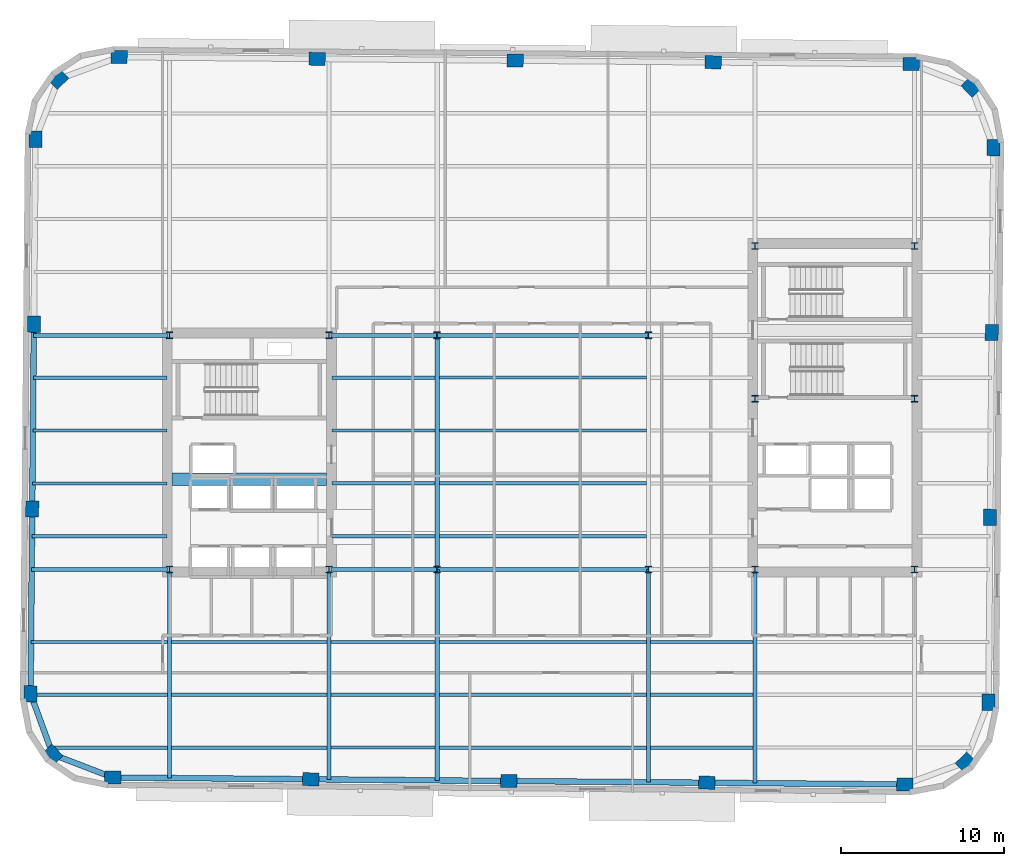
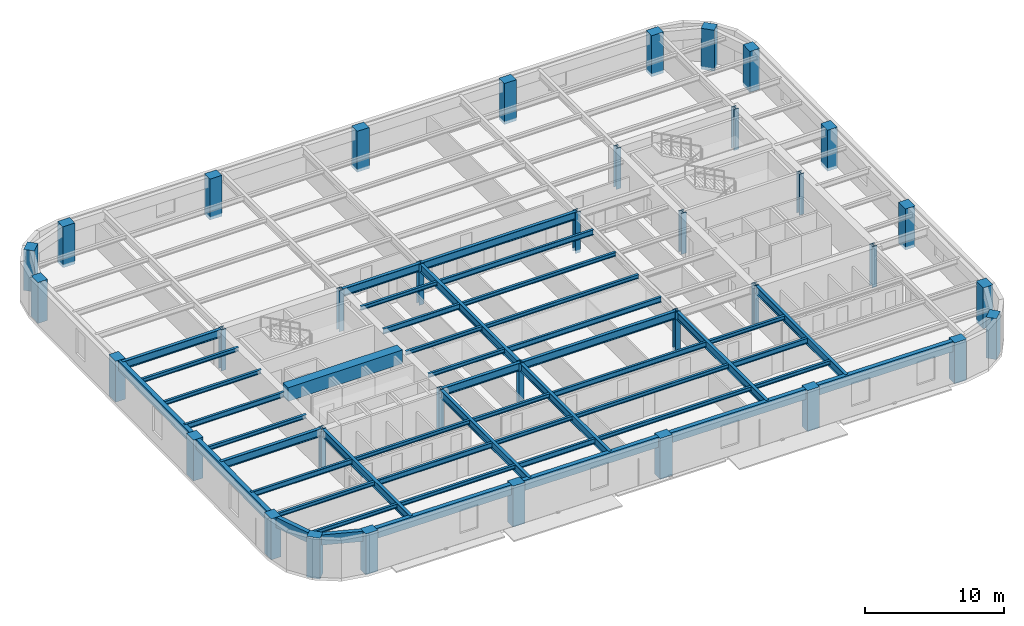
# One storey, part 1 of 11: 48 beams, 36 columns.
"""IFC4 building model written with IfcOpenShell, lengths in metres."""

from ifc_helpers import new_model, si_unit, direction, frame, origin, origin_2d, place, context, subcontext, project, spatial, rectangle, hollow_rectangle, i_section, extrude, material, material_profile, profile_set, type_object, element, save


model = new_model("IFC4")

# Units and contexts
model_context = context("Model", 3, precision=1e-05, world=origin(), true_north=direction((0.0, 1.0)))
body_context = subcontext(model_context, "Body", "Model", "MODEL_VIEW")
ifc_project = project(units=[si_unit("LENGTHUNIT", "METRE"), si_unit("AREAUNIT", "SQUARE_METRE"), si_unit("VOLUMEUNIT", "CUBIC_METRE"), si_unit("PLANEANGLEUNIT", "RADIAN"), si_unit("MASSUNIT", "GRAM", prefix="KILO")], contexts=[model_context])

# Site, building, storey
site_placement = place(None, origin())
site = spatial("IfcSite", under=ifc_project, at=site_placement, CompositionType="ELEMENT")
building_placement = place(site_placement, origin())
building = spatial("IfcBuilding", under=site, at=building_placement, Name="Kolvaren Arena Tower", CompositionType="ELEMENT")
storey_placement = place(building_placement, frame((0.0, 0.0, 207.199951171875)))
storey = spatial("IfcBuildingStorey", under=building, at=storey_placement, Name="L50", CompositionType="ELEMENT", Elevation=207.199951171875)

# Columns
ifc_material_1 = material(Name="Precast concrete C60/75", Category="concrete")
ifc_material_profile_1 = material_profile(ifc_material_1, rectangle(XDim=1.0, YDim=0.800048828125, at=origin_2d()), Name="RC-1000x800")
ifc_profile_set_1 = profile_set([ifc_material_profile_1], Name="Precast concrete C60/75")
column_type_1 = type_object("IfcColumnType", Name="EXCOL-Z3", PredefinedType="COLUMN", material=ifc_profile_set_1)
for number, where, z_axis, x_axis, name in (
    (1, (11.0576171875, 6.663330078125, -0.27001953125), (0.0, 0.0, 1.0), (0.999961923064, -0.008726535498, 0.0), "Exoskeleton Perimeter Column 01 (L50)"),
    (2, (23.232177734375, 6.55712890625, -0.27001953125), (0.0, 0.0, 1.0), (0.999961923064, -0.008726535498, 0.0), "Exoskeleton Perimeter Column 02 (L50)"),
    (3, (35.40673828125, 6.45068359375, -0.27001953125), (0.0, 0.0, 1.0), (0.999961923064, -0.008726535498, 0.0), "Exoskeleton Perimeter Column 03 (L50)"),
    (4, (47.581298828125, 6.344482421875, -0.27001953125), (0.0, 0.0, 1.0), (0.999961923064, -0.008726535498, 0.0), "Exoskeleton Perimeter Column 04 (L50)"),
    (5, (59.755859375, 6.23828125, -0.27001953125), (0.0, 0.0, 1.0), (0.999961923064, -0.008726535498, 0.0), "Exoskeleton Perimeter Column 05 (L50)"),
    (6, (63.4765625, 7.59716796875, -0.27001953125), (0.0, 0.0, 1.0), (0.713250449154, 0.7009092643, 0.0), "Exoskeleton Perimeter Column 06 (L50)"),
    (7, (64.900146484375, 11.293701171875, -0.27001953125), (0.0, 0.0, 1.0), (0.008726535498, 0.999961923064, 0.0), "Exoskeleton Perimeter Column 07 (L50)"),
    (8, (64.999267578125, 22.659912109375, -0.27001953125), (0.0, 0.0, 1.0), (0.008726535498, 0.999961923064, 0.0), "Exoskeleton Perimeter Column 08 (L50)"),
    (9, (65.098388671875, 34.026123046875, -0.27001953125), (0.0, 0.0, 1.0), (0.008726535498, 0.999961923064, 0.0), "Exoskeleton Perimeter Column 09 (L50)"),
    (10, (65.19775390625, 45.392333984375, -0.27001953125), (0.0, 0.0, 1.0), (0.008726535498, 0.999961923064, 0.0), "Exoskeleton Perimeter Column 10 (L50)"),
    (11, (63.8388671875, 49.113037109375, -0.27001953125), (0.0, 0.0, 1.0), (-0.7009092643, 0.713250449154, 0.0), "Exoskeleton Perimeter Column 11 (L50)"),
    (12, (60.142333984375, 50.53662109375, -0.27001953125), (0.0, 0.0, 1.0), (0.999961923064, -0.008726535498, 0.0), "Exoskeleton Perimeter Column 12 (L50)"),
    (13, (47.9677734375, 50.642822265625, -0.27001953125), (0.0, 0.0, 1.0), (0.999961923064, -0.008726535498, 0.0), "Exoskeleton Perimeter Column 13 (L50)"),
    (14, (35.793212890625, 50.749267578125, -0.27001953125), (0.0, 0.0, 1.0), (0.999961923064, -0.008726535498, 0.0), "Exoskeleton Perimeter Column 14 (L50)"),
    (15, (23.618896484375, 50.85546875, -0.27001953125), (0.0, 0.0, 1.0), (0.999961923064, -0.008726535498, 0.0), "Exoskeleton Perimeter Column 15 (L50)"),
    (16, (11.444091796875, 50.961669921875, -0.27001953125), (0.0, 0.0, 1.0), (0.999961923064, -0.008726535498, 0.0), "Exoskeleton Perimeter Column 16 (L50)"),
    (17, (7.723388671875, 49.602783203125, -0.27001953125), (0.0, 0.0, 1.0), (0.713250449154, 0.7009092643, 0.0), "Exoskeleton Perimeter Column 17 (L50)"),
    (18, (6.2998046875, 45.90625, -0.27001953125), (0.0, 0.0, 1.0), (0.008726535498, 0.999961923064, 0.0), "Exoskeleton Perimeter Column 18 (L50)"),
    (19, (6.20068359375, 34.5400390625, -0.27001953125), (0.0, 0.0, 1.0), (0.008726535498, 0.999961923064, 0.0), "Exoskeleton Perimeter Column 19 (L50)"),
    (20, (6.1015625, 23.173828125, -0.27001953125), (0.0, 0.0, 1.0), (0.008726535498, 0.999961923064, 0.0), "Exoskeleton Perimeter Column 20 (L50)"),
    (21, (6.002197265625, 11.8076171875, -0.27001953125), (0.0, 0.0, 1.0), (0.008726535498, 0.999961923064, 0.0), "Exoskeleton Perimeter Column 21 (L50)"),
    (22, (7.361083984375, 8.0869140625, -0.27001953125), (0.0, 0.0, 1.0), (-0.7009092643, 0.713250449154, 0.0), "Exoskeleton Perimeter Column 22 (L50)"),
):
    element("IfcColumn", number, at=place(storey_placement, frame(where, z_axis=z_axis, x_axis=x_axis)), inside=storey, type_object=column_type_1, Name=name, PredefinedType="COLUMN", context=body_context, shape_type="SweptSolid", body=[
        extrude(rectangle(XDim=1.0, YDim=0.800048828125, at=origin_2d()), origin(), (0.0, 0.0, 1.0), 3.60009765625),
    ])
ifc_material_2 = material(Name="Steel ASTM A913 Grade 65", Category="steel")
ifc_material_profile_2 = material_profile(ifc_material_2, i_section(OverallWidth=0.406005859375, OverallDepth=0.416015625, WebThickness=0.02978515625, FlangeThickness=0.048095703125, FilletRadius=0.02001953125, at=origin_2d()), Name="W360x382")
ifc_profile_set_2 = profile_set([ifc_material_profile_2], Name="Steel ASTM A913 Grade 65")
column_type_2 = type_object("IfcColumnType", Name="SCOL-Z3", PredefinedType="COLUMN", material=ifc_profile_set_2)
for number, where, z_axis, x_axis, name in (
    (23, (14.550048828125, 19.449951171875, -0.27001953125), (0.0, 0.0, 1.0), (1.0, 0.0, 0.0), "Core Boundary Column WC-SW (L50)"),
    (24, (24.35009765625, 19.449951171875, -0.27001953125), (0.0, 0.0, 1.0), (1.0, 0.0, 0.0), "Core Boundary Column WC-SE (L50)"),
    (25, (14.550048828125, 33.85009765625, -0.27001953125), (0.0, 0.0, 1.0), (1.0, 0.0, 0.0), "Core Boundary Column WC-NW (L50)"),
    (26, (24.35009765625, 33.85009765625, -0.27001953125), (0.0, 0.0, 1.0), (1.0, 0.0, 0.0), "Core Boundary Column WC-NE (L50)"),
    (27, (50.550048828125, 19.449951171875, -0.27001953125), (0.0, 0.0, 1.0), (1.0, 0.0, 0.0), "Core Boundary Column EC-SW (L50)"),
    (28, (60.35009765625, 19.449951171875, -0.27001953125), (0.0, 0.0, 1.0), (1.0, 0.0, 0.0), "Core Boundary Column EC-SE (L50)"),
    (29, (50.550048828125, 29.949951171875, -0.27001953125), (0.0, 0.0, 1.0), (1.0, 0.0, 0.0), "Core Boundary Column EC-MW (L50)"),
    (30, (60.35009765625, 29.949951171875, -0.27001953125), (0.0, 0.0, 1.0), (1.0, 0.0, 0.0), "Core Boundary Column EC-ME (L50)"),
    (31, (50.550048828125, 39.35009765625, -0.27001953125), (0.0, 0.0, 1.0), (1.0, 0.0, 0.0), "Core Boundary Column EC-NW (L50)"),
    (32, (60.35009765625, 39.35009765625, -0.27001953125), (0.0, 0.0, 1.0), (1.0, 0.0, 0.0), "Core Boundary Column EC-NE (L50)"),
    (33, (31.0, 19.449951171875, -0.27001953125), (0.0, 0.0, 1.0), (1.0, 0.0, 0.0), "Interior Gravity Column TC-SW (L50)"),
    (34, (44.0, 19.449951171875, -0.27001953125), (0.0, 0.0, 1.0), (1.0, 0.0, 0.0), "Interior Gravity Column TC-SE (L50)"),
    (35, (31.0, 33.85009765625, -0.27001953125), (0.0, 0.0, 1.0), (1.0, 0.0, 0.0), "Interior Gravity Column TC-NW (L50)"),
    (36, (44.0, 33.85009765625, -0.27001953125), (0.0, 0.0, 1.0), (1.0, 0.0, 0.0), "Interior Gravity Column TC-NE (L50)"),
):
    element("IfcColumn", number, at=place(storey_placement, frame(where, z_axis=z_axis, x_axis=x_axis)), inside=storey, type_object=column_type_2, Name=name, PredefinedType="COLUMN", context=body_context, shape_type="SweptSolid", body=[
        extrude(i_section(OverallWidth=0.406005859375, OverallDepth=0.416015625, WebThickness=0.02978515625, FlangeThickness=0.048095703125, FilletRadius=0.02001953125, at=origin_2d()), origin(), (0.0, 0.0, 1.0), 3.60009765625),
    ])

# Beams
ifc_material_3 = material(Name="Steel CSA G40.21 350W", Category="steel")
ifc_material_profile_3 = material_profile(ifc_material_3, i_section(OverallWidth=0.193115234375, OverallDepth=0.462890625, WebThickness=0.0107421875, FlangeThickness=0.0205078125, FilletRadius=0.012939453125, at=origin_2d()), Name="W460x113")
ifc_profile_set_3 = profile_set([ifc_material_profile_3], Name="Steel CSA G40.21 350W")
beam_type_1 = type_object("IfcBeamType", Name="BEAM-F2", PredefinedType="BEAM", material=ifc_profile_set_3)
beam_1_placement = place(storey_placement, frame((24.4775390625, 8.5, 3.0986328125), z_axis=(1.0, 0.0, 0.0), x_axis=(0.0, 1.0, 0.0)))
element("IfcBeam", 37, at=beam_1_placement, inside=storey, type_object=beam_type_1, Name="Composite Floor Beam (L50)", PredefinedType="BEAM", context=body_context, shape_type="SweptSolid", body=[
    extrude(i_section(OverallWidth=0.193115234375, OverallDepth=0.462890625, WebThickness=0.0107421875, FlangeThickness=0.0205078125, FilletRadius=0.012939453125, at=origin_2d()), origin(), (0.0, 0.0, 1.0), 6.39501953125),
])
beam_2_placement = place(storey_placement, frame((14.677490234375, 11.75, 3.0986328125), z_axis=(1.0, 0.0, 0.0), x_axis=(0.0, 1.0, 0.0)))
element("IfcBeam", 38, at=beam_2_placement, inside=storey, type_object=beam_type_1, Name="Composite Floor Beam (L50)", PredefinedType="BEAM", context=body_context, shape_type="SweptSolid", body=[
    extrude(i_section(OverallWidth=0.193115234375, OverallDepth=0.462890625, WebThickness=0.0107421875, FlangeThickness=0.0205078125, FilletRadius=0.012939453125, at=origin_2d()), origin(), (0.0, 0.0, 1.0), 9.544921875),
])
beam_3_placement = place(storey_placement, frame((44.12744140625, 11.75, 3.0986328125), z_axis=(1.0, 0.0, 0.0), x_axis=(0.0, 1.0, 0.0)))
element("IfcBeam", 39, at=beam_3_placement, inside=storey, type_object=beam_type_1, Name="Composite Floor Beam (L50)", PredefinedType="BEAM", context=body_context, shape_type="SweptSolid", body=[
    extrude(i_section(OverallWidth=0.193115234375, OverallDepth=0.462890625, WebThickness=0.0107421875, FlangeThickness=0.0205078125, FilletRadius=0.012939453125, at=origin_2d()), origin(), (0.0, 0.0, 1.0), 6.295166015625),
])
beam_4_placement = place(storey_placement, frame((6.0302734375, 15.0, 3.0986328125), z_axis=(1.0, 0.0, 0.0), x_axis=(0.0, 1.0, 0.0)))
element("IfcBeam", 40, at=beam_4_placement, inside=storey, type_object=beam_type_1, Name="Composite Floor Beam (L50)", PredefinedType="BEAM", context=body_context, shape_type="SweptSolid", body=[
    extrude(i_section(OverallWidth=0.193115234375, OverallDepth=0.462890625, WebThickness=0.0107421875, FlangeThickness=0.0205078125, FilletRadius=0.012939453125, at=origin_2d()), origin(), (0.0, 0.0, 1.0), 8.392333984375),
])
for number, where, z_axis, x_axis, name in (
    (41, (31.12744140625, 15.0, 3.0986328125), (1.0, 0.0, 0.0), (0.0, 1.0, 0.0), "Composite Floor Beam (L50)"),
    (42, (31.12744140625, 21.5, 3.0986328125), (1.0, 0.0, 0.0), (0.0, 1.0, 0.0), "Composite Floor Beam (L50)"),
):
    element("IfcBeam", number, at=place(storey_placement, frame(where, z_axis=z_axis, x_axis=x_axis)), inside=storey, type_object=beam_type_1, Name=name, PredefinedType="BEAM", context=body_context, shape_type="SweptSolid", body=[
        extrude(i_section(OverallWidth=0.193115234375, OverallDepth=0.462890625, WebThickness=0.0107421875, FlangeThickness=0.0205078125, FilletRadius=0.012939453125, at=origin_2d()), origin(), (0.0, 0.0, 1.0), 12.7451171875),
    ])
beam_5_placement = place(storey_placement, frame((6.115234375, 24.75, 3.0986328125), z_axis=(1.0, 0.0, 0.0), x_axis=(0.0, 1.0, 0.0)))
element("IfcBeam", 43, at=beam_5_placement, inside=storey, type_object=beam_type_1, Name="Composite Floor Beam (L50)", PredefinedType="BEAM", context=body_context, shape_type="SweptSolid", body=[
    extrude(i_section(OverallWidth=0.193115234375, OverallDepth=0.462890625, WebThickness=0.0107421875, FlangeThickness=0.0205078125, FilletRadius=0.012939453125, at=origin_2d()), origin(), (0.0, 0.0, 1.0), 8.2646484375),
])
beam_6_placement = place(storey_placement, frame((24.52001953125, 28.0, 3.0986328125), z_axis=(1.0, 0.0, 0.0), x_axis=(0.0, 1.0, 0.0)))
element("IfcBeam", 44, at=beam_6_placement, inside=storey, type_object=beam_type_1, Name="Composite Floor Beam (L50)", PredefinedType="BEAM", context=body_context, shape_type="SweptSolid", body=[
    extrude(i_section(OverallWidth=0.193115234375, OverallDepth=0.462890625, WebThickness=0.0107421875, FlangeThickness=0.0205078125, FilletRadius=0.012939453125, at=origin_2d()), origin(), (0.0, 0.0, 1.0), 6.3525390625),
])
beam_7_placement = place(storey_placement, frame((31.12744140625, 31.25, 3.0986328125), z_axis=(1.0, 0.0, 0.0), x_axis=(0.0, 1.0, 0.0)))
element("IfcBeam", 45, at=beam_7_placement, inside=storey, type_object=beam_type_1, Name="Composite Floor Beam (L50)", PredefinedType="BEAM", context=body_context, shape_type="SweptSolid", body=[
    extrude(i_section(OverallWidth=0.193115234375, OverallDepth=0.462890625, WebThickness=0.0107421875, FlangeThickness=0.0205078125, FilletRadius=0.012939453125, at=origin_2d()), origin(), (0.0, 0.0, 1.0), 12.7451171875),
])
ifc_material_4 = material(Name="Concrete 60 MPa", Category="concrete")
ifc_material_profile_4 = material_profile(ifc_material_4, rectangle(XDim=0.75, YDim=1.199951171875, at=origin_2d()), Name="RC-750x1200")
ifc_profile_set_4 = profile_set([ifc_material_profile_4], Name="Concrete 60 MPa")
beam_type_2 = type_object("IfcBeamType", Name="CB-CORE-2", PredefinedType="BEAM", material=ifc_profile_set_4)
beam_8_placement = place(storey_placement, frame((14.699951171875, 25.0, 3.0), z_axis=(1.0, 0.0, 0.0), x_axis=(0.0, 1.0, 0.0)))
element("IfcBeam", 46, at=beam_8_placement, inside=storey, type_object=beam_type_2, Name="West Core Coupling Beam (L50)", PredefinedType="BEAM", context=body_context, shape_type="SweptSolid", body=[
    extrude(rectangle(XDim=0.75, YDim=1.199951171875, at=origin_2d()), origin(), (0.0, 0.0, 1.0), 9.5),
])
ifc_material_profile_5 = material_profile(ifc_material_3, i_section(OverallWidth=0.2548828125, OverallDepth=0.695068359375, WebThickness=0.01708984375, FlangeThickness=0.02978515625, FilletRadius=0.01611328125, at=origin_2d()), Name="W690x217")
ifc_profile_set_5 = profile_set([ifc_material_profile_5], Name="Steel CSA G40.21 350W")
beam_type_3 = type_object("IfcBeamType", Name="GIRD-T2", PredefinedType="BEAM", material=ifc_profile_set_5)
beam_9_placement = place(storey_placement, frame((6.069091796875, 19.449951171875, 2.982666015625), z_axis=(1.0, 0.0, 0.0), x_axis=(0.0, 1.0, 0.0)))
element("IfcBeam", 47, at=beam_9_placement, inside=storey, type_object=beam_type_3, Name="Primary Floor Girder (L50)", PredefinedType="BEAM", context=body_context, shape_type="SweptSolid", body=[
    extrude(i_section(OverallWidth=0.2548828125, OverallDepth=0.695068359375, WebThickness=0.01708984375, FlangeThickness=0.02978515625, FilletRadius=0.01611328125, at=origin_2d()), origin(), (0.0, 0.0, 1.0), 8.350830078125),
])
beam_10_placement = place(storey_placement, frame((24.47998046875, 19.449951171875, 2.982666015625), z_axis=(1.0, 0.0, 0.0), x_axis=(0.0, 1.0, 0.0)))
element("IfcBeam", 48, at=beam_10_placement, inside=storey, type_object=beam_type_3, Name="Primary Floor Girder (L50)", PredefinedType="BEAM", context=body_context, shape_type="SweptSolid", body=[
    extrude(i_section(OverallWidth=0.2548828125, OverallDepth=0.695068359375, WebThickness=0.01708984375, FlangeThickness=0.02978515625, FilletRadius=0.01611328125, at=origin_2d()), origin(), (0.0, 0.0, 1.0), 6.52001953125),
])
beam_11_placement = place(storey_placement, frame((31.0, 19.449951171875, 2.982666015625), z_axis=(1.0, 0.0, 0.0), x_axis=(0.0, 1.0, 0.0)))
element("IfcBeam", 49, at=beam_11_placement, inside=storey, type_object=beam_type_3, Name="Primary Floor Girder (L50)", PredefinedType="BEAM", context=body_context, shape_type="SweptSolid", body=[
    extrude(i_section(OverallWidth=0.2548828125, OverallDepth=0.695068359375, WebThickness=0.01708984375, FlangeThickness=0.02978515625, FilletRadius=0.01611328125, at=origin_2d()), origin(), (0.0, 0.0, 1.0), 13.0),
])
beam_12_placement = place(storey_placement, frame((6.194580078125, 33.85009765625, 2.982666015625), z_axis=(1.0, 0.0, 0.0), x_axis=(0.0, 1.0, 0.0)))
element("IfcBeam", 50, at=beam_12_placement, inside=storey, type_object=beam_type_3, Name="Primary Floor Girder (L50)", PredefinedType="BEAM", context=body_context, shape_type="SweptSolid", body=[
    extrude(i_section(OverallWidth=0.2548828125, OverallDepth=0.695068359375, WebThickness=0.01708984375, FlangeThickness=0.02978515625, FilletRadius=0.01611328125, at=origin_2d()), origin(), (0.0, 0.0, 1.0), 8.225341796875),
])
beam_13_placement = place(storey_placement, frame((24.47998046875, 33.85009765625, 2.982666015625), z_axis=(1.0, 0.0, 0.0), x_axis=(0.0, 1.0, 0.0)))
element("IfcBeam", 51, at=beam_13_placement, inside=storey, type_object=beam_type_3, Name="Primary Floor Girder (L50)", PredefinedType="BEAM", context=body_context, shape_type="SweptSolid", body=[
    extrude(i_section(OverallWidth=0.2548828125, OverallDepth=0.695068359375, WebThickness=0.01708984375, FlangeThickness=0.02978515625, FilletRadius=0.01611328125, at=origin_2d()), origin(), (0.0, 0.0, 1.0), 6.52001953125),
])
beam_14_placement = place(storey_placement, frame((31.0, 33.85009765625, 2.982666015625), z_axis=(1.0, 0.0, 0.0), x_axis=(0.0, 1.0, 0.0)))
element("IfcBeam", 52, at=beam_14_placement, inside=storey, type_object=beam_type_3, Name="Primary Floor Girder (L50)", PredefinedType="BEAM", context=body_context, shape_type="SweptSolid", body=[
    extrude(i_section(OverallWidth=0.2548828125, OverallDepth=0.695068359375, WebThickness=0.01708984375, FlangeThickness=0.02978515625, FilletRadius=0.01611328125, at=origin_2d()), origin(), (0.0, 0.0, 1.0), 13.0),
])
beam_15_placement = place(storey_placement, frame((14.550048828125, 6.6328125, 2.982666015625), z_axis=(0.0, 1.0, 0.0), x_axis=(-1.0, 0.0, 0.0)))
element("IfcBeam", 53, at=beam_15_placement, inside=storey, type_object=beam_type_3, Name="Primary Floor Girder (L50)", PredefinedType="BEAM", context=body_context, shape_type="SweptSolid", body=[
    extrude(i_section(OverallWidth=0.2548828125, OverallDepth=0.695068359375, WebThickness=0.01708984375, FlangeThickness=0.02978515625, FilletRadius=0.01611328125, at=origin_2d()), origin(), (0.0, 0.0, 1.0), 12.687255859375),
])
beam_16_placement = place(storey_placement, frame((24.35009765625, 6.54736328125, 2.982666015625), z_axis=(0.0, 1.0, 0.0), x_axis=(-1.0, 0.0, 0.0)))
element("IfcBeam", 54, at=beam_16_placement, inside=storey, type_object=beam_type_3, Name="Primary Floor Girder (L50)", PredefinedType="BEAM", context=body_context, shape_type="SweptSolid", body=[
    extrude(i_section(OverallWidth=0.2548828125, OverallDepth=0.695068359375, WebThickness=0.01708984375, FlangeThickness=0.02978515625, FilletRadius=0.01611328125, at=origin_2d()), origin(), (0.0, 0.0, 1.0), 12.772705078125),
])
beam_17_placement = place(storey_placement, frame((31.0, 6.4892578125, 2.982666015625), z_axis=(0.0, 1.0, 0.0), x_axis=(-1.0, 0.0, 0.0)))
element("IfcBeam", 55, at=beam_17_placement, inside=storey, type_object=beam_type_3, Name="Primary Floor Girder (L50)", PredefinedType="BEAM", context=body_context, shape_type="SweptSolid", body=[
    extrude(i_section(OverallWidth=0.2548828125, OverallDepth=0.695068359375, WebThickness=0.01708984375, FlangeThickness=0.02978515625, FilletRadius=0.01611328125, at=origin_2d()), origin(), (0.0, 0.0, 1.0), 12.960693359375),
])
beam_18_placement = place(storey_placement, frame((31.0, 19.449951171875, 2.982666015625), z_axis=(0.0, 1.0, 0.0), x_axis=(-1.0, 0.0, 0.0)))
element("IfcBeam", 56, at=beam_18_placement, inside=storey, type_object=beam_type_3, Name="Primary Floor Girder (L50)", PredefinedType="BEAM", context=body_context, shape_type="SweptSolid", body=[
    extrude(i_section(OverallWidth=0.2548828125, OverallDepth=0.695068359375, WebThickness=0.01708984375, FlangeThickness=0.02978515625, FilletRadius=0.01611328125, at=origin_2d()), origin(), (0.0, 0.0, 1.0), 14.400146484375),
])
beam_19_placement = place(storey_placement, frame((44.0, 6.375732421875, 2.982666015625), z_axis=(0.0, 1.0, 0.0), x_axis=(-1.0, 0.0, 0.0)))
element("IfcBeam", 57, at=beam_19_placement, inside=storey, type_object=beam_type_3, Name="Primary Floor Girder (L50)", PredefinedType="BEAM", context=body_context, shape_type="SweptSolid", body=[
    extrude(i_section(OverallWidth=0.2548828125, OverallDepth=0.695068359375, WebThickness=0.01708984375, FlangeThickness=0.02978515625, FilletRadius=0.01611328125, at=origin_2d()), origin(), (0.0, 0.0, 1.0), 13.07421875),
])
beam_20_placement = place(storey_placement, frame((50.550048828125, 6.318603515625, 2.982666015625), z_axis=(0.0, 1.0, 0.0), x_axis=(-1.0, 0.0, 0.0)))
element("IfcBeam", 58, at=beam_20_placement, inside=storey, type_object=beam_type_3, Name="Primary Floor Girder (L50)", PredefinedType="BEAM", context=body_context, shape_type="SweptSolid", body=[
    extrude(i_section(OverallWidth=0.2548828125, OverallDepth=0.695068359375, WebThickness=0.01708984375, FlangeThickness=0.02978515625, FilletRadius=0.01611328125, at=origin_2d()), origin(), (0.0, 0.0, 1.0), 13.00146484375),
])
ifc_material_profile_6 = material_profile(ifc_material_3, i_section(OverallWidth=0.202880859375, OverallDepth=0.346923828125, WebThickness=0.0078125, FlangeThickness=0.013427734375, FilletRadius=0.010986328125, at=origin_2d()), Name="W360x64")
ifc_profile_set_6 = profile_set([ifc_material_profile_6], Name="Steel CSA G40.21 350W")
beam_type_4 = type_object("IfcBeamType", Name="JOIST-01", PredefinedType="JOIST", material=ifc_profile_set_6)
beam_21_placement = place(storey_placement, frame((7.210205078125, 8.5, 3.156494140625), z_axis=(1.0, 0.0, 0.0), x_axis=(0.0, 1.0, 0.0)))
element("IfcBeam", 59, at=beam_21_placement, inside=storey, type_object=beam_type_4, Name="Composite Floor Joist (L50)", PredefinedType="JOIST", context=body_context, shape_type="SweptSolid", body=[
    extrude(i_section(OverallWidth=0.202880859375, OverallDepth=0.346923828125, WebThickness=0.0078125, FlangeThickness=0.013427734375, FilletRadius=0.010986328125, at=origin_2d()), origin(), (0.0, 0.0, 1.0), 7.21240234375),
])
beam_22_placement = place(storey_placement, frame((14.677490234375, 8.5, 3.156494140625), z_axis=(1.0, 0.0, 0.0), x_axis=(0.0, 1.0, 0.0)))
element("IfcBeam", 60, at=beam_22_placement, inside=storey, type_object=beam_type_4, Name="Composite Floor Joist (L50)", PredefinedType="JOIST", context=body_context, shape_type="SweptSolid", body=[
    extrude(i_section(OverallWidth=0.202880859375, OverallDepth=0.346923828125, WebThickness=0.0078125, FlangeThickness=0.013427734375, FilletRadius=0.010986328125, at=origin_2d()), origin(), (0.0, 0.0, 1.0), 9.544921875),
])
beam_23_placement = place(storey_placement, frame((31.12744140625, 8.5, 3.156494140625), z_axis=(1.0, 0.0, 0.0), x_axis=(0.0, 1.0, 0.0)))
element("IfcBeam", 61, at=beam_23_placement, inside=storey, type_object=beam_type_4, Name="Composite Floor Joist (L50)", PredefinedType="JOIST", context=body_context, shape_type="SweptSolid", body=[
    extrude(i_section(OverallWidth=0.202880859375, OverallDepth=0.346923828125, WebThickness=0.0078125, FlangeThickness=0.013427734375, FilletRadius=0.010986328125, at=origin_2d()), origin(), (0.0, 0.0, 1.0), 12.7451171875),
])
beam_24_placement = place(storey_placement, frame((44.12744140625, 8.5, 3.156494140625), z_axis=(1.0, 0.0, 0.0), x_axis=(0.0, 1.0, 0.0)))
element("IfcBeam", 62, at=beam_24_placement, inside=storey, type_object=beam_type_4, Name="Composite Floor Joist (L50)", PredefinedType="JOIST", context=body_context, shape_type="SweptSolid", body=[
    extrude(i_section(OverallWidth=0.202880859375, OverallDepth=0.346923828125, WebThickness=0.0078125, FlangeThickness=0.013427734375, FilletRadius=0.010986328125, at=origin_2d()), origin(), (0.0, 0.0, 1.0), 6.295166015625),
])
beam_25_placement = place(storey_placement, frame((6.023193359375, 11.75, 3.156494140625), z_axis=(1.0, 0.0, 0.0), x_axis=(0.0, 1.0, 0.0)))
element("IfcBeam", 63, at=beam_25_placement, inside=storey, type_object=beam_type_4, Name="Composite Floor Joist (L50)", PredefinedType="JOIST", context=body_context, shape_type="SweptSolid", body=[
    extrude(i_section(OverallWidth=0.202880859375, OverallDepth=0.346923828125, WebThickness=0.0078125, FlangeThickness=0.013427734375, FilletRadius=0.010986328125, at=origin_2d()), origin(), (0.0, 0.0, 1.0), 8.3994140625),
])
beam_26_placement = place(storey_placement, frame((24.4775390625, 11.75, 3.156494140625), z_axis=(1.0, 0.0, 0.0), x_axis=(0.0, 1.0, 0.0)))
element("IfcBeam", 64, at=beam_26_placement, inside=storey, type_object=beam_type_4, Name="Composite Floor Joist (L50)", PredefinedType="JOIST", context=body_context, shape_type="SweptSolid", body=[
    extrude(i_section(OverallWidth=0.202880859375, OverallDepth=0.346923828125, WebThickness=0.0078125, FlangeThickness=0.013427734375, FilletRadius=0.010986328125, at=origin_2d()), origin(), (0.0, 0.0, 1.0), 6.39501953125),
])
beam_27_placement = place(storey_placement, frame((31.12744140625, 11.75, 3.156494140625), z_axis=(1.0, 0.0, 0.0), x_axis=(0.0, 1.0, 0.0)))
element("IfcBeam", 65, at=beam_27_placement, inside=storey, type_object=beam_type_4, Name="Composite Floor Joist (L50)", PredefinedType="JOIST", context=body_context, shape_type="SweptSolid", body=[
    extrude(i_section(OverallWidth=0.202880859375, OverallDepth=0.346923828125, WebThickness=0.0078125, FlangeThickness=0.013427734375, FilletRadius=0.010986328125, at=origin_2d()), origin(), (0.0, 0.0, 1.0), 12.7451171875),
])
beam_28_placement = place(storey_placement, frame((14.677490234375, 15.0, 3.156494140625), z_axis=(1.0, 0.0, 0.0), x_axis=(0.0, 1.0, 0.0)))
element("IfcBeam", 66, at=beam_28_placement, inside=storey, type_object=beam_type_4, Name="Composite Floor Joist (L50)", PredefinedType="JOIST", context=body_context, shape_type="SweptSolid", body=[
    extrude(i_section(OverallWidth=0.202880859375, OverallDepth=0.346923828125, WebThickness=0.0078125, FlangeThickness=0.013427734375, FilletRadius=0.010986328125, at=origin_2d()), origin(), (0.0, 0.0, 1.0), 9.544921875),
])
beam_29_placement = place(storey_placement, frame((24.4775390625, 15.0, 3.156494140625), z_axis=(1.0, 0.0, 0.0), x_axis=(0.0, 1.0, 0.0)))
element("IfcBeam", 67, at=beam_29_placement, inside=storey, type_object=beam_type_4, Name="Composite Floor Joist (L50)", PredefinedType="JOIST", context=body_context, shape_type="SweptSolid", body=[
    extrude(i_section(OverallWidth=0.202880859375, OverallDepth=0.346923828125, WebThickness=0.0078125, FlangeThickness=0.013427734375, FilletRadius=0.010986328125, at=origin_2d()), origin(), (0.0, 0.0, 1.0), 6.39501953125),
])
beam_30_placement = place(storey_placement, frame((44.12744140625, 15.0, 3.156494140625), z_axis=(1.0, 0.0, 0.0), x_axis=(0.0, 1.0, 0.0)))
element("IfcBeam", 68, at=beam_30_placement, inside=storey, type_object=beam_type_4, Name="Composite Floor Joist (L50)", PredefinedType="JOIST", context=body_context, shape_type="SweptSolid", body=[
    extrude(i_section(OverallWidth=0.202880859375, OverallDepth=0.346923828125, WebThickness=0.0078125, FlangeThickness=0.013427734375, FilletRadius=0.010986328125, at=origin_2d()), origin(), (0.0, 0.0, 1.0), 6.295166015625),
])
beam_31_placement = place(storey_placement, frame((6.0869140625, 21.5, 3.156494140625), z_axis=(1.0, 0.0, 0.0), x_axis=(0.0, 1.0, 0.0)))
element("IfcBeam", 69, at=beam_31_placement, inside=storey, type_object=beam_type_4, Name="Composite Floor Joist (L50)", PredefinedType="JOIST", context=body_context, shape_type="SweptSolid", body=[
    extrude(i_section(OverallWidth=0.202880859375, OverallDepth=0.346923828125, WebThickness=0.0078125, FlangeThickness=0.013427734375, FilletRadius=0.010986328125, at=origin_2d()), origin(), (0.0, 0.0, 1.0), 8.29296875),
])
for number, where, z_axis, x_axis, name in (
    (70, (24.52001953125, 21.5, 3.156494140625), (1.0, 0.0, 0.0), (0.0, 1.0, 0.0), "Composite Floor Joist (L50)"),
    (71, (24.52001953125, 24.75, 3.156494140625), (1.0, 0.0, 0.0), (0.0, 1.0, 0.0), "Composite Floor Joist (L50)"),
):
    element("IfcBeam", number, at=place(storey_placement, frame(where, z_axis=z_axis, x_axis=x_axis)), inside=storey, type_object=beam_type_4, Name=name, PredefinedType="JOIST", context=body_context, shape_type="SweptSolid", body=[
        extrude(i_section(OverallWidth=0.202880859375, OverallDepth=0.346923828125, WebThickness=0.0078125, FlangeThickness=0.013427734375, FilletRadius=0.010986328125, at=origin_2d()), origin(), (0.0, 0.0, 1.0), 6.3525390625),
    ])
beam_32_placement = place(storey_placement, frame((31.12744140625, 24.75, 3.156494140625), z_axis=(1.0, 0.0, 0.0), x_axis=(0.0, 1.0, 0.0)))
element("IfcBeam", 72, at=beam_32_placement, inside=storey, type_object=beam_type_4, Name="Composite Floor Joist (L50)", PredefinedType="JOIST", context=body_context, shape_type="SweptSolid", body=[
    extrude(i_section(OverallWidth=0.202880859375, OverallDepth=0.346923828125, WebThickness=0.0078125, FlangeThickness=0.013427734375, FilletRadius=0.010986328125, at=origin_2d()), origin(), (0.0, 0.0, 1.0), 12.7451171875),
])
beam_33_placement = place(storey_placement, frame((6.1435546875, 28.0, 3.156494140625), z_axis=(1.0, 0.0, 0.0), x_axis=(0.0, 1.0, 0.0)))
element("IfcBeam", 73, at=beam_33_placement, inside=storey, type_object=beam_type_4, Name="Composite Floor Joist (L50)", PredefinedType="JOIST", context=body_context, shape_type="SweptSolid", body=[
    extrude(i_section(OverallWidth=0.202880859375, OverallDepth=0.346923828125, WebThickness=0.0078125, FlangeThickness=0.013427734375, FilletRadius=0.010986328125, at=origin_2d()), origin(), (0.0, 0.0, 1.0), 8.236328125),
])
beam_34_placement = place(storey_placement, frame((31.12744140625, 28.0, 3.156494140625), z_axis=(1.0, 0.0, 0.0), x_axis=(0.0, 1.0, 0.0)))
element("IfcBeam", 74, at=beam_34_placement, inside=storey, type_object=beam_type_4, Name="Composite Floor Joist (L50)", PredefinedType="JOIST", context=body_context, shape_type="SweptSolid", body=[
    extrude(i_section(OverallWidth=0.202880859375, OverallDepth=0.346923828125, WebThickness=0.0078125, FlangeThickness=0.013427734375, FilletRadius=0.010986328125, at=origin_2d()), origin(), (0.0, 0.0, 1.0), 12.7451171875),
])
beam_35_placement = place(storey_placement, frame((6.172119140625, 31.25, 3.156494140625), z_axis=(1.0, 0.0, 0.0), x_axis=(0.0, 1.0, 0.0)))
element("IfcBeam", 75, at=beam_35_placement, inside=storey, type_object=beam_type_4, Name="Composite Floor Joist (L50)", PredefinedType="JOIST", context=body_context, shape_type="SweptSolid", body=[
    extrude(i_section(OverallWidth=0.202880859375, OverallDepth=0.346923828125, WebThickness=0.0078125, FlangeThickness=0.013427734375, FilletRadius=0.010986328125, at=origin_2d()), origin(), (0.0, 0.0, 1.0), 8.207763671875),
])
beam_36_placement = place(storey_placement, frame((24.52001953125, 31.25, 3.156494140625), z_axis=(1.0, 0.0, 0.0), x_axis=(0.0, 1.0, 0.0)))
element("IfcBeam", 76, at=beam_36_placement, inside=storey, type_object=beam_type_4, Name="Composite Floor Joist (L50)", PredefinedType="JOIST", context=body_context, shape_type="SweptSolid", body=[
    extrude(i_section(OverallWidth=0.202880859375, OverallDepth=0.346923828125, WebThickness=0.0078125, FlangeThickness=0.013427734375, FilletRadius=0.010986328125, at=origin_2d()), origin(), (0.0, 0.0, 1.0), 6.3525390625),
])
ifc_material_5 = material(Name="Steel CSA G40.21 350WT", Category="steel")
ifc_material_profile_7 = material_profile(ifc_material_5, hollow_rectangle(XDim=0.35009765625, YDim=0.89990234375, WallThickness=0.02001953125, at=origin_2d()), Name="HSS 900x350x20")
ifc_profile_set_7 = profile_set([ifc_material_profile_7], Name="Steel CSA G40.21 350WT")
beam_type_5 = type_object("IfcBeamType", Name="SPAND-01", PredefinedType="SPANDREL", material=ifc_profile_set_7)
for number, where, z_axis, x_axis, name in (
    (77, (11.0576171875, 6.663330078125, 2.880126953125), (0.99996195503, -0.008722871848, 0.0), (0.008722871848, 0.99996195503, 0.0), "Perimeter Spandrel Beam (L50)"),
    (78, (23.232177734375, 6.55712890625, 2.880126953125), (0.999961779919, -0.008742922896, 0.0), (0.008742922896, 0.999961779919, 0.0), "Perimeter Spandrel Beam (L50)"),
    (79, (35.40673828125, 6.45068359375, 2.880126953125), (0.99996195503, -0.008722871848, 0.0), (0.008722871848, 0.99996195503, 0.0), "Perimeter Spandrel Beam (L50)"),
    (80, (47.581298828125, 6.344482421875, 2.880126953125), (0.99996195503, -0.008722871848, 0.0), (0.008722871848, 0.99996195503, 0.0), "Perimeter Spandrel Beam (L50)"),
):
    element("IfcBeam", number, at=place(storey_placement, frame(where, z_axis=z_axis, x_axis=x_axis)), inside=storey, type_object=beam_type_5, Name=name, PredefinedType="SPANDREL", context=body_context, shape_type="SweptSolid", body=[
        extrude(hollow_rectangle(XDim=0.35009765625, YDim=0.89990234375, WallThickness=0.02001953125, at=origin_2d()), origin(), (0.0, 0.0, 1.0), 12.175048828125),
    ])
for number, where, z_axis, x_axis, name in (
    (81, (6.20068359375, 34.5400390625, 2.880126953125), (-0.008720348885, -0.999961977035, 0.0), (0.999961977035, -0.008720348885, 0.0), "Perimeter Spandrel Beam (L50)"),
    (82, (6.1015625, 23.173828125, 2.880126953125), (-0.008741825937, -0.99996178951, 0.0), (0.99996178951, -0.008741825937, 0.0), "Perimeter Spandrel Beam (L50)"),
):
    element("IfcBeam", number, at=place(storey_placement, frame(where, z_axis=z_axis, x_axis=x_axis)), inside=storey, type_object=beam_type_5, Name=name, PredefinedType="SPANDREL", context=body_context, shape_type="SweptSolid", body=[
        extrude(hollow_rectangle(XDim=0.35009765625, YDim=0.89990234375, WallThickness=0.02001953125, at=origin_2d()), origin(), (0.0, 0.0, 1.0), 11.36669921875),
    ])
for number, where, z_axis, x_axis, name in (
    (83, (6.002197265625, 11.8076171875, 2.880126953125), (0.343059102458, -0.939313819882, 0.0), (0.939313819882, 0.343059102458, 0.0), "Perimeter Spandrel Beam (L50)"),
    (84, (7.361083984375, 8.0869140625, 2.880126953125), (0.933189846698, -0.359383792094, 0.0), (0.359383792094, 0.933189846698, 0.0), "Perimeter Spandrel Beam (L50)"),
):
    element("IfcBeam", number, at=place(storey_placement, frame(where, z_axis=z_axis, x_axis=x_axis)), inside=storey, type_object=beam_type_5, Name=name, PredefinedType="SPANDREL", context=body_context, shape_type="SweptSolid", body=[
        extrude(hollow_rectangle(XDim=0.35009765625, YDim=0.89990234375, WallThickness=0.02001953125, at=origin_2d()), origin(), (0.0, 0.0, 1.0), 3.961181640625),
    ])

save(model, "model.ifc")
